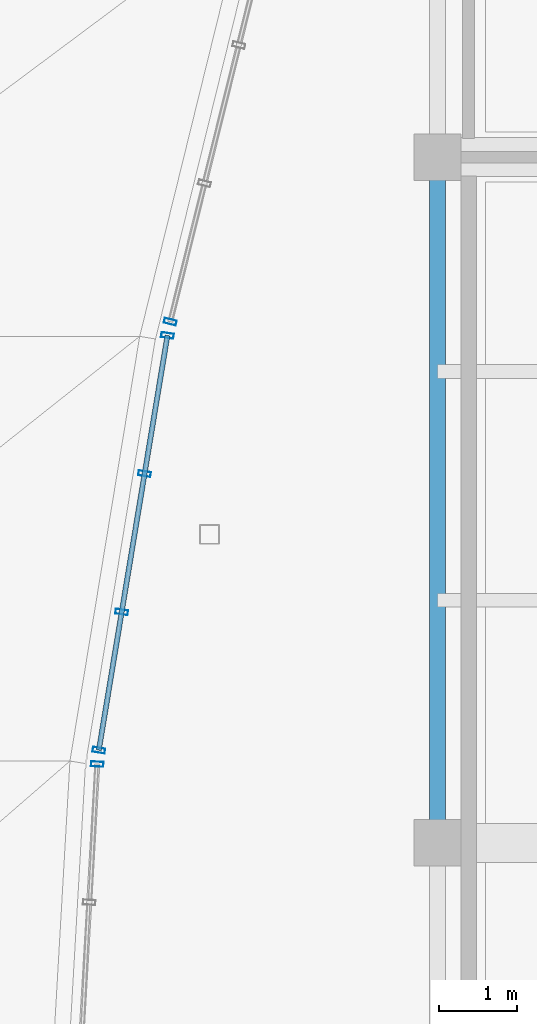
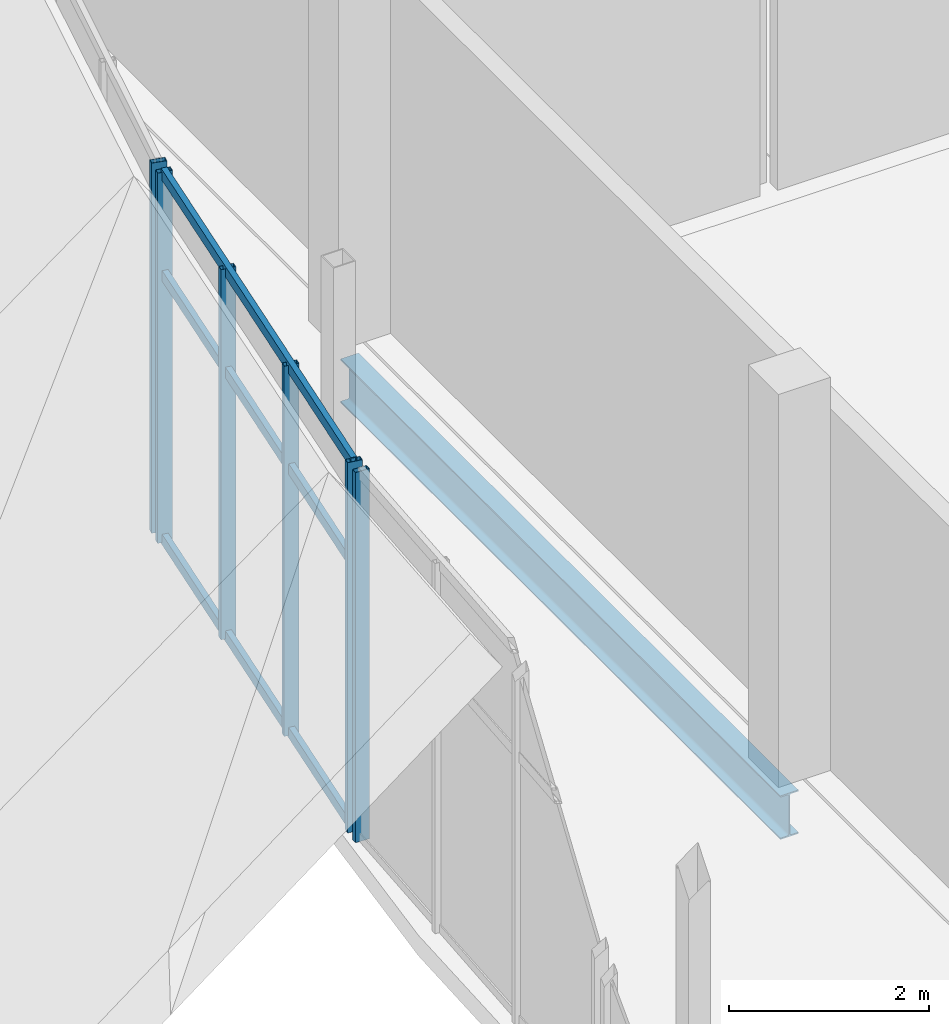
# One storey, part 26 of 116: 9 members, 1 beam, 3 elements without a shape of their own.
"""IFC4 building model written with IfcOpenShell, lengths in metres."""

from ifc_helpers import new_model, si_unit, direction, frame, origin, origin_2d, place, context, subcontext, project, spatial, hollow_rectangle, i_section, extrude, material, layer, layer_set, material_profile, profile_set, type_object, element, aggregate, save


model = new_model("IFC4")

# Units and contexts
model_context = context("Model", 3, precision=1e-05, world=origin(), true_north=direction((0.0, 1.0)))
body_context = subcontext(model_context, "Body", "Model", "MODEL_VIEW")
ifc_project = project(units=[si_unit("LENGTHUNIT", "METRE"), si_unit("AREAUNIT", "SQUARE_METRE"), si_unit("VOLUMEUNIT", "CUBIC_METRE"), si_unit("PLANEANGLEUNIT", "RADIAN"), si_unit("MASSUNIT", "GRAM", prefix="KILO")], contexts=[model_context])

# Site, building, storey
site_placement = place(None, origin())
site = spatial("IfcSite", under=ifc_project, at=site_placement, CompositionType="ELEMENT")
building_placement = place(site_placement, origin())
building = spatial("IfcBuilding", under=site, at=building_placement, Name="Chalmorin Arch Market", CompositionType="ELEMENT")
storey_placement = place(building_placement, origin())
storey = spatial("IfcBuildingStorey", under=building, at=storey_placement, Name="L00", CompositionType="ELEMENT", Elevation=0.0)

# Curtain wall, member
ifc_material_1 = material(Name="Aluminium 6063-T6", Category="aluminium")
ifc_layer_1 = layer(ifc_material_1, 0.159912109375)
ifc_layer_set_1 = layer_set([ifc_layer_1], Name="Aluminium 6063-T6")
curtain_wall_type_1 = type_object("IfcCurtainWallType", Name="RiverfrontStorefrontCurtainWall-CW2-5330x4520", PredefinedType="NOTDEFINED", material=ifc_layer_set_1)
curtain_wall_1_placement = place(storey_placement, origin())
curtain_wall_1 = element("IfcCurtainWall", 1, at=curtain_wall_1_placement, inside=storey, type_object=curtain_wall_type_1, Name="CW-02-057", PredefinedType="NOTDEFINED")
ifc_material_profile_1 = material_profile(ifc_material_1, hollow_rectangle(XDim=0.06494140625, YDim=0.159912109375, WallThickness=0.00390625, at=origin_2d()), Name="ALU65X160X4")
ifc_profile_set_1 = profile_set([ifc_material_profile_1], Name="Aluminium 6063-T6")
member_type_1 = type_object("IfcMemberType", Name="CurtainWallMullion-65x160", PredefinedType="MULLION", material=ifc_profile_set_1)
member_1_placement = place(storey_placement, frame((-4.365234375, 33.41015625, 0.0), z_axis=(0.0, 0.0, 1.0), x_axis=(0.052335956243, 0.998629534755, 0.0)))
member_1 = element("IfcMember", 2, at=member_1_placement, type_object=member_type_1, Name="ML-057-04", PredefinedType="MULLION", context=body_context, shape_type="SweptSolid", body=[
    extrude(hollow_rectangle(XDim=0.06494140625, YDim=0.159912109375, WallThickness=0.00390625, at=origin_2d()), origin(), (0.0, 0.0, 1.0), 4.52001953125),
])
aggregate(curtain_wall_1, [member_1])

# Curtain wall, members
ifc_layer_2 = layer(ifc_material_1, 0.159912109375)
ifc_layer_set_2 = layer_set([ifc_layer_2], Name="Aluminium 6063-T6")
curtain_wall_type_2 = type_object("IfcCurtainWallType", Name="RiverfrontStorefrontCurtainWall-CW2-5390x4520", PredefinedType="NOTDEFINED", material=ifc_layer_set_2)
curtain_wall_2_placement = place(storey_placement, origin())
curtain_wall_2 = element("IfcCurtainWall", 3, at=curtain_wall_2_placement, inside=storey, type_object=curtain_wall_type_2, Name="CW-02-060", PredefinedType="NOTDEFINED")
member_2_placement = place(storey_placement, frame((-4.34521484375, 33.5888671875, 0.0), z_axis=(0.0, 0.0, 1.0), x_axis=(0.15643446504, 0.987688340595, 0.0)))
member_2 = element("IfcMember", 4, at=member_2_placement, type_object=member_type_1, Name="ML-060-01", PredefinedType="MULLION", context=body_context, shape_type="SweptSolid", body=[
    extrude(hollow_rectangle(XDim=0.06494140625, YDim=0.159912109375, WallThickness=0.00390625, at=origin_2d()), origin(), (0.0, 0.0, 1.0), 4.52001953125),
])
member_3_placement = place(storey_placement, frame((-4.0517578125, 35.36279296875, 0.0), z_axis=(0.0, 0.0, 1.0), x_axis=(0.15643446504, 0.987688340595, 0.0)))
member_3 = element("IfcMember", 5, at=member_3_placement, type_object=member_type_1, Name="ML-060-02", PredefinedType="MULLION", context=body_context, shape_type="SweptSolid", body=[
    extrude(hollow_rectangle(XDim=0.06494140625, YDim=0.159912109375, WallThickness=0.00390625, at=origin_2d()), origin(), (0.0, 0.0, 1.0), 4.52001953125),
])
member_4_placement = place(storey_placement, frame((-3.75830078125, 37.13720703125, 0.0), z_axis=(0.0, 0.0, 1.0), x_axis=(0.15643446504, 0.987688340595, 0.0)))
member_4 = element("IfcMember", 6, at=member_4_placement, type_object=member_type_1, Name="ML-060-03", PredefinedType="MULLION", context=body_context, shape_type="SweptSolid", body=[
    extrude(hollow_rectangle(XDim=0.06494140625, YDim=0.159912109375, WallThickness=0.00390625, at=origin_2d()), origin(), (0.0, 0.0, 1.0), 4.52001953125),
])
member_5_placement = place(storey_placement, frame((-3.464599609375, 38.9111328125, 0.0), z_axis=(0.0, 0.0, 1.0), x_axis=(0.15643446504, 0.987688340595, 0.0)))
member_5 = element("IfcMember", 7, at=member_5_placement, type_object=member_type_1, Name="ML-060-04", PredefinedType="MULLION", context=body_context, shape_type="SweptSolid", body=[
    extrude(hollow_rectangle(XDim=0.06494140625, YDim=0.159912109375, WallThickness=0.00390625, at=origin_2d()), origin(), (0.0, 0.0, 1.0), 4.52001953125),
])

# Curtain wall, member
ifc_layer_3 = layer(ifc_material_1, 0.159912109375)
ifc_layer_set_3 = layer_set([ifc_layer_3], Name="Aluminium 6063-T6")
curtain_wall_type_3 = type_object("IfcCurtainWallType", Name="RiverfrontStorefrontCurtainWall-CW2-5490x4520", PredefinedType="NOTDEFINED", material=ifc_layer_set_3)
curtain_wall_3_placement = place(storey_placement, origin())
curtain_wall_3 = element("IfcCurtainWall", 8, at=curtain_wall_3_placement, inside=storey, type_object=curtain_wall_type_3, Name="CW-02-063", PredefinedType="NOTDEFINED")
member_6_placement = place(storey_placement, frame((-3.428466796875, 39.08740234375, 0.0), z_axis=(0.0, 0.0, 1.0), x_axis=(0.2419218956, 0.970295726276, 0.0)))
member_6 = element("IfcMember", 9, at=member_6_placement, type_object=member_type_1, Name="ML-063-01", PredefinedType="MULLION", context=body_context, shape_type="SweptSolid", body=[
    extrude(hollow_rectangle(XDim=0.06494140625, YDim=0.159912109375, WallThickness=0.00390625, at=origin_2d()), origin(), (0.0, 0.0, 1.0), 4.52001953125),
])
aggregate(curtain_wall_3, [member_6])

# Member
ifc_material_profile_2 = material_profile(ifc_material_1, hollow_rectangle(XDim=0.06494140625, YDim=0.1298828125, WallThickness=0.00390625, at=origin_2d()), Name="ALU65X130X4")
ifc_profile_set_2 = profile_set([ifc_material_profile_2], Name="Aluminium 6063-T6")
member_type_2 = type_object("IfcMemberType", Name="CurtainWallTransom-65x130", PredefinedType="USERDEFINED", material=ifc_profile_set_2)
member_7_placement = place(storey_placement, frame((-4.34521484375, 33.5888671875, 0.034912109375), z_axis=(0.16323933491, 0.986586498761, 0.0), x_axis=(-0.986586498761, 0.16323933491, 0.0)))
member_7 = element("IfcMember", 10, at=member_7_placement, type_object=member_type_2, Name="TR-060-01", ObjectType="TRANSOM", PredefinedType="USERDEFINED", context=body_context, shape_type="SweptSolid", body=[
    extrude(hollow_rectangle(XDim=0.06494140625, YDim=0.1298828125, WallThickness=0.00390625, at=origin_2d()), origin(), (0.0, 0.0, 1.0), 5.39453125),
])

member_8_placement = place(storey_placement, frame((-4.34521484375, 33.5888671875, 3.25439453125), z_axis=(0.16323933491, 0.986586498761, 0.0), x_axis=(-0.986586498761, 0.16323933491, 0.0)))
member_8 = element("IfcMember", 11, at=member_8_placement, type_object=member_type_2, Name="TR-060-02", ObjectType="TRANSOM", PredefinedType="USERDEFINED", context=body_context, shape_type="SweptSolid", body=[
    extrude(hollow_rectangle(XDim=0.06494140625, YDim=0.1298828125, WallThickness=0.00390625, at=origin_2d()), origin(), (0.0, 0.0, 1.0), 5.39453125),
])

member_9_placement = place(storey_placement, frame((-4.34521484375, 33.5888671875, 4.485107421875), z_axis=(0.16323933491, 0.986586498761, 0.0), x_axis=(-0.986586498761, 0.16323933491, 0.0)))
member_9 = element("IfcMember", 12, at=member_9_placement, type_object=member_type_2, Name="TR-060-03", ObjectType="TRANSOM", PredefinedType="USERDEFINED", context=body_context, shape_type="SweptSolid", body=[
    extrude(hollow_rectangle(XDim=0.06494140625, YDim=0.1298828125, WallThickness=0.00390625, at=origin_2d()), origin(), (0.0, 0.0, 1.0), 5.39453125),
])

aggregate(curtain_wall_2, [member_2, member_3, member_4, member_5, member_7, member_8, member_9])

# Beam
ifc_material_2 = material(Name="Steel A992 Grade 50", Category="steel")
ifc_material_profile_3 = material_profile(ifc_material_2, i_section(OverallWidth=0.208984375, OverallDepth=0.532958984375, WebThickness=0.01025390625, FlangeThickness=0.015625, FilletRadius=0.02197265625, at=origin_2d()), Name="W21X62")
ifc_profile_set_3 = profile_set([ifc_material_profile_3], Name="Steel A992 Grade 50")
beam_type = type_object("IfcBeamType", Name="PerimeterSpandrelBeam-W21X62", PredefinedType="SPANDREL", material=ifc_profile_set_3)
beam_placement = place(storey_placement, frame((0.0, 32.39990234375, -0.618408203125), z_axis=(0.0, 1.0, 0.0), x_axis=(-1.0, 0.0, 0.0)))
element("IfcBeam", 13, at=beam_placement, inside=storey, type_object=beam_type, Name="SP-W21-0212", PredefinedType="SPANDREL", context=body_context, shape_type="SweptSolid", body=[
    extrude(i_section(OverallWidth=0.208984375, OverallDepth=0.532958984375, WebThickness=0.01025390625, FlangeThickness=0.015625, FilletRadius=0.02197265625, at=origin_2d()), origin(), (0.0, 0.0, 1.0), 8.800048828125),
])

save(model, "model.ifc")
